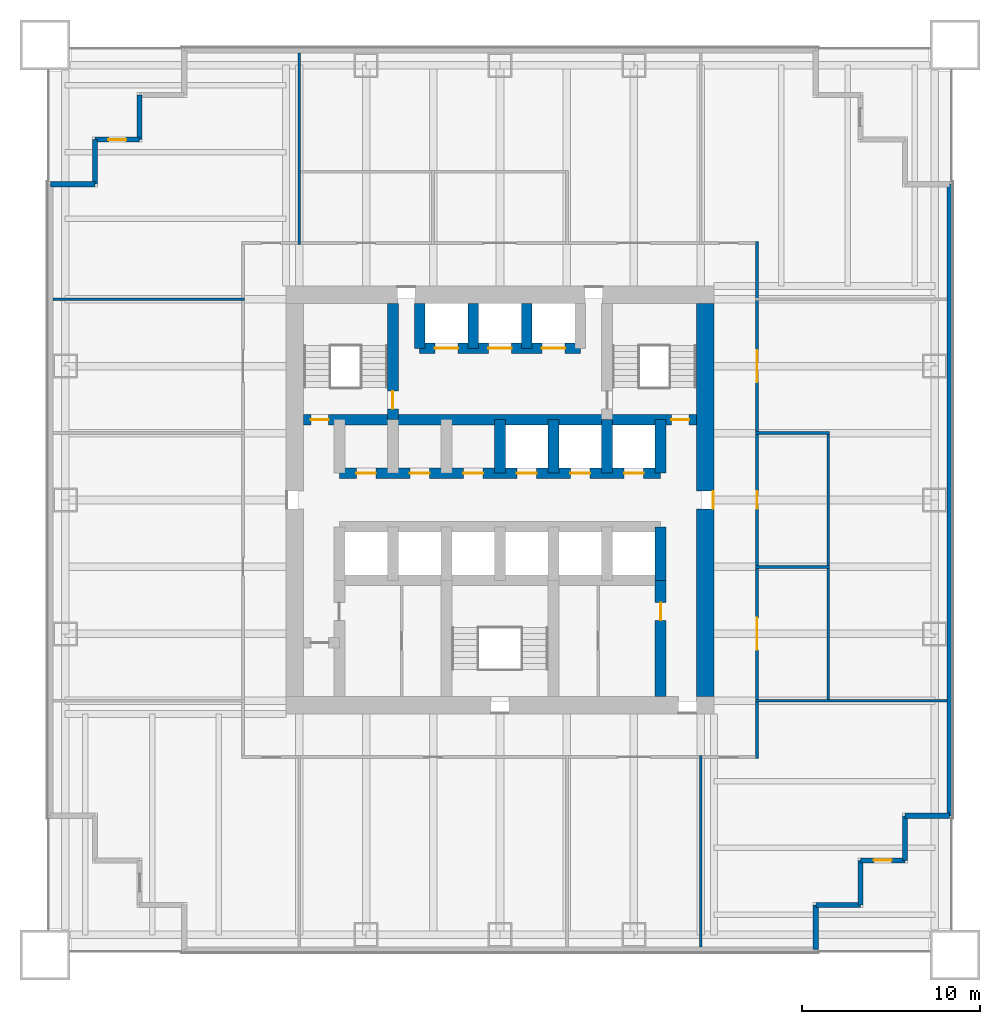
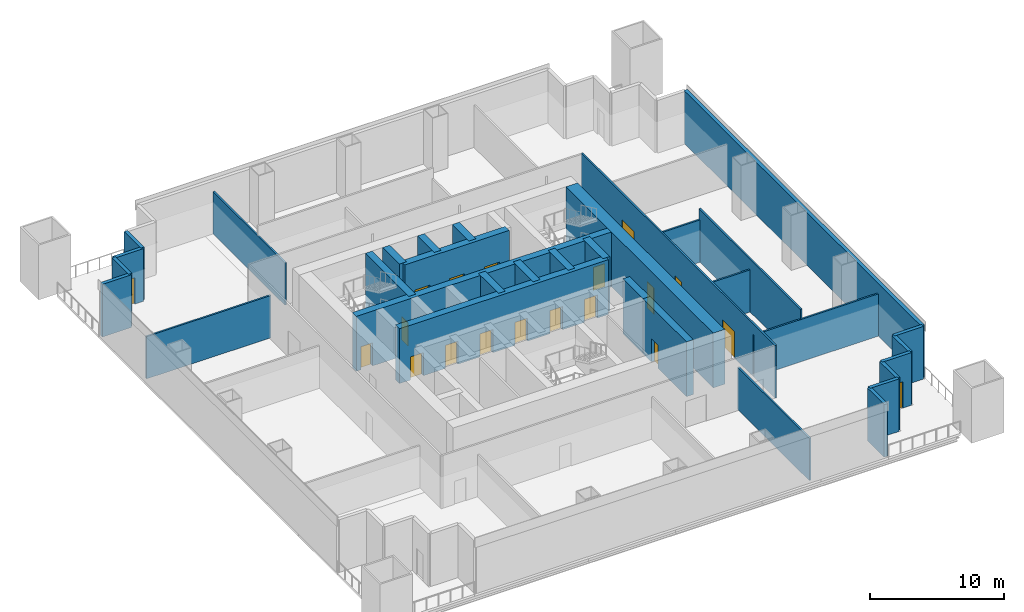
# One storey, part 3 of 6: 33 walls, 19 doors, 19 openings.
"""IFC4 building model written with IfcOpenShell, lengths in metres."""

from ifc_helpers import new_model, si_unit, direction, frame, frame_2d, origin, place, context, subcontext, project, spatial, rectangle, extrude, material, layer, layer_set, type_object, element, fill, save


model = new_model("IFC4")

# Units and contexts
model_context = context("Model", 3, precision=1e-05, world=origin(), true_north=direction((0.0, 1.0)))
body_context = subcontext(model_context, "Body", "Model", "MODEL_VIEW")
ifc_project = project(units=[si_unit("LENGTHUNIT", "METRE"), si_unit("AREAUNIT", "SQUARE_METRE"), si_unit("VOLUMEUNIT", "CUBIC_METRE"), si_unit("PLANEANGLEUNIT", "RADIAN"), si_unit("MASSUNIT", "GRAM", prefix="KILO")], contexts=[model_context])

# Site, building, storey
site_placement = place(None, origin())
site = spatial("IfcSite", under=ifc_project, at=site_placement, CompositionType="ELEMENT")
building_placement = place(site_placement, origin())
building = spatial("IfcBuilding", under=site, at=building_placement, Name="Tarangal Relay Tower", CompositionType="ELEMENT")
storey_placement = place(building_placement, frame((0.0, 0.0, 53.39990234375)))
storey = spatial("IfcBuildingStorey", under=building, at=storey_placement, Name="L10", CompositionType="ELEMENT", Elevation=53.39990234375)

# Wall, openings, doors
ifc_material_1 = material(Name="Concrete fc' 60 MPa", Category="concrete")
ifc_layer_1 = layer(ifc_material_1, 0.60009765625)
ifc_layer_set_1 = layer_set([ifc_layer_1], Name="Core inner wall 600")
wall_type_1 = type_object("IfcWallType", Name="Core inner wall 600", PredefinedType="SHEAR", material=ifc_layer_set_1)
wall_1_placement = place(storey_placement, frame((-11.0, 4.5, 0.0), z_axis=(0.0, 0.0, 1.0), x_axis=(1.0, 0.0, 0.0)))
wall_1 = element("IfcWall", 1, at=wall_1_placement, inside=storey, type_object=wall_type_1, Name="Core wall Y45 L10", PredefinedType="SHEAR", context=body_context, shape_type="SweptSolid", body=[
    extrude(rectangle(XDim=22.0, YDim=0.60009765625, at=frame_2d((11.0, 0.0))), origin(), (0.0, 0.0, 1.0), 5.0),
])
opening_1_placement = place(wall_1_placement, frame((0.39990234375, 0.0, 0.0)))
opening_1 = element("IfcOpeningElement", 2, at=opening_1_placement, cuts=wall_1, Name="Opening FD1", PredefinedType="OPENING", context=body_context, shape_type="SweptSolid", body=[
    extrude(rectangle(XDim=1.0, YDim=2.10009765625, at=frame_2d((0.5, 1.050048828125))), frame((0.0, 0.31005859375, 0.0), z_axis=(0.0, -1.0, 0.0), x_axis=(1.0, 0.0, 0.0)), (0.0, 0.0, 1.0), 0.6201171875),
])
opening_2_placement = place(wall_1_placement, frame((20.60009765625, 0.0, 0.0)))
opening_2 = element("IfcOpeningElement", 3, at=opening_2_placement, cuts=wall_1, Name="Opening FD1", PredefinedType="OPENING", context=body_context, shape_type="SweptSolid", body=[
    extrude(rectangle(XDim=1.0, YDim=2.10009765625, at=frame_2d((0.5, 1.050048828125))), frame((0.0, 0.31005859375, 0.0), z_axis=(0.0, -1.0, 0.0), x_axis=(1.0, 0.0, 0.0)), (0.0, 0.0, 1.0), 0.6201171875),
])
ifc_material_2 = material(Name="Steel door with hardwood frame", Category="steel")
door_type_1 = type_object("IfcDoorType", Name="Fire door 1000 x 2100", OperationType="SINGLE_SWING_LEFT", PredefinedType="DOOR", material=ifc_material_2)
door_1_placement = place(opening_1_placement, origin())
door_1 = element("IfcDoor", 4, at=door_1_placement, inside=storey, type_object=door_type_1, Name="Stair ST-A door from corridor L10", OperationType="SINGLE_SWING_LEFT", OverallHeight=2.10009765625, OverallWidth=1.0, PredefinedType="DOOR", context=body_context, shape_type="SweptSolid", body=[
    extrude(rectangle(XDim=1.0, YDim=2.10009765625, at=frame_2d((0.5, 1.050048828125))), frame((0.0, 0.02490234375, 0.0), z_axis=(0.0, -1.0, 0.0), x_axis=(1.0, 0.0, 0.0)), (0.0, 0.0, 1.0), 0.050048828125),
])
fill(opening_1, door_1)
door_2_placement = place(opening_2_placement, origin())
door_2 = element("IfcDoor", 5, at=door_2_placement, inside=storey, type_object=door_type_1, Name="Stair ST-B door from corridor L10", OperationType="SINGLE_SWING_LEFT", OverallHeight=2.10009765625, OverallWidth=1.0, PredefinedType="DOOR", context=body_context, shape_type="SweptSolid", body=[
    extrude(rectangle(XDim=1.0, YDim=2.10009765625, at=frame_2d((0.5, 1.050048828125))), frame((0.0, 0.02490234375, 0.0), z_axis=(0.0, -1.0, 0.0), x_axis=(1.0, 0.0, 0.0)), (0.0, 0.0, 1.0), 0.050048828125),
])
fill(opening_2, door_2)

wall_2_placement = place(storey_placement, frame((-9.0, 1.5, 0.0), z_axis=(0.0, 0.0, 1.0), x_axis=(1.0, 0.0, 0.0)))
wall_2 = element("IfcWall", 6, at=wall_2_placement, inside=storey, type_object=wall_type_1, Name="Core wall Y15 L10", PredefinedType="SHEAR", context=body_context, shape_type="SweptSolid", body=[
    extrude(rectangle(XDim=18.0, YDim=0.60009765625, at=frame_2d((9.0, 0.0))), origin(), (0.0, 0.0, 1.0), 5.0),
])
opening_3_placement = place(wall_2_placement, frame((9.949951171875, 0.0, 0.0)))
opening_3 = element("IfcOpeningElement", 7, at=opening_3_placement, cuts=wall_2, Name="Opening LD1", PredefinedType="OPENING", context=body_context, shape_type="SweptSolid", body=[
    extrude(rectangle(XDim=1.10009765625, YDim=2.10009765625, at=frame_2d((0.550048828125, 1.050048828125))), frame((0.0, 0.31005859375, 0.0), z_axis=(0.0, -1.0, 0.0), x_axis=(1.0, 0.0, 0.0)), (0.0, 0.0, 1.0), 0.6201171875),
])
opening_4_placement = place(wall_2_placement, frame((12.949951171875, 0.0, 0.0)))
opening_4 = element("IfcOpeningElement", 8, at=opening_4_placement, cuts=wall_2, Name="Opening LD1", PredefinedType="OPENING", context=body_context, shape_type="SweptSolid", body=[
    extrude(rectangle(XDim=1.10009765625, YDim=2.10009765625, at=frame_2d((0.550048828125, 1.050048828125))), frame((0.0, 0.31005859375, 0.0), z_axis=(0.0, -1.0, 0.0), x_axis=(1.0, 0.0, 0.0)), (0.0, 0.0, 1.0), 0.6201171875),
])
opening_5_placement = place(wall_2_placement, frame((15.949951171875, 0.0, 0.0)))
opening_5 = element("IfcOpeningElement", 9, at=opening_5_placement, cuts=wall_2, Name="Opening LD1", PredefinedType="OPENING", context=body_context, shape_type="SweptSolid", body=[
    extrude(rectangle(XDim=1.10009765625, YDim=2.10009765625, at=frame_2d((0.550048828125, 1.050048828125))), frame((0.0, 0.31005859375, 0.0), z_axis=(0.0, -1.0, 0.0), x_axis=(1.0, 0.0, 0.0)), (0.0, 0.0, 1.0), 0.6201171875),
])
opening_6_placement = place(wall_2_placement, frame((0.949951171875, 0.0, 0.0)))
opening_6 = element("IfcOpeningElement", 10, at=opening_6_placement, cuts=wall_2, Name="Opening D4", PredefinedType="OPENING", context=body_context, shape_type="SweptSolid", body=[
    extrude(rectangle(XDim=1.10009765625, YDim=2.10009765625, at=frame_2d((0.550048828125, 1.050048828125))), frame((0.0, 0.31005859375, 0.0), z_axis=(0.0, -1.0, 0.0), x_axis=(1.0, 0.0, 0.0)), (0.0, 0.0, 1.0), 0.6201171875),
])
opening_7_placement = place(wall_2_placement, frame((3.949951171875, 0.0, 0.0)))
opening_7 = element("IfcOpeningElement", 11, at=opening_7_placement, cuts=wall_2, Name="Opening D4", PredefinedType="OPENING", context=body_context, shape_type="SweptSolid", body=[
    extrude(rectangle(XDim=1.10009765625, YDim=2.10009765625, at=frame_2d((0.550048828125, 1.050048828125))), frame((0.0, 0.31005859375, 0.0), z_axis=(0.0, -1.0, 0.0), x_axis=(1.0, 0.0, 0.0)), (0.0, 0.0, 1.0), 0.6201171875),
])
opening_8_placement = place(wall_2_placement, frame((6.949951171875, 0.0, 0.0)))
opening_8 = element("IfcOpeningElement", 12, at=opening_8_placement, cuts=wall_2, Name="Opening D4", PredefinedType="OPENING", context=body_context, shape_type="SweptSolid", body=[
    extrude(rectangle(XDim=1.10009765625, YDim=2.10009765625, at=frame_2d((0.550048828125, 1.050048828125))), frame((0.0, 0.31005859375, 0.0), z_axis=(0.0, -1.0, 0.0), x_axis=(1.0, 0.0, 0.0)), (0.0, 0.0, 1.0), 0.6201171875),
])
door_type_2 = type_object("IfcDoorType", Name="Core room door 1100 x 2100", OperationType="SINGLE_SWING_RIGHT", PredefinedType="DOOR", material=ifc_material_2)
door_3_placement = place(opening_6_placement, origin())
door_3 = element("IfcDoor", 13, at=door_3_placement, inside=storey, type_object=door_type_2, Name="Door D4 to it room L10-D1", OperationType="SINGLE_SWING_RIGHT", OverallHeight=2.10009765625, OverallWidth=1.10009765625, PredefinedType="DOOR", context=body_context, shape_type="SweptSolid", body=[
    extrude(rectangle(XDim=1.10009765625, YDim=2.10009765625, at=frame_2d((0.550048828125, 1.050048828125))), frame((0.0, 0.02490234375, 0.0), z_axis=(0.0, -1.0, 0.0), x_axis=(1.0, 0.0, 0.0)), (0.0, 0.0, 1.0), 0.050048828125),
])
fill(opening_6, door_3)
door_4_placement = place(opening_7_placement, origin())
door_4 = element("IfcDoor", 14, at=door_4_placement, inside=storey, type_object=door_type_2, Name="Door D4 to back-of-house plant room L10-D2", OperationType="SINGLE_SWING_RIGHT", OverallHeight=2.10009765625, OverallWidth=1.10009765625, PredefinedType="DOOR", context=body_context, shape_type="SweptSolid", body=[
    extrude(rectangle(XDim=1.10009765625, YDim=2.10009765625, at=frame_2d((0.550048828125, 1.050048828125))), frame((0.0, 0.02490234375, 0.0), z_axis=(0.0, -1.0, 0.0), x_axis=(1.0, 0.0, 0.0)), (0.0, 0.0, 1.0), 0.050048828125),
])
fill(opening_7, door_4)
door_5_placement = place(opening_8_placement, origin())
door_5 = element("IfcDoor", 15, at=door_5_placement, inside=storey, type_object=door_type_2, Name="Door D4 to staff pantry L10-D3", OperationType="SINGLE_SWING_RIGHT", OverallHeight=2.10009765625, OverallWidth=1.10009765625, PredefinedType="DOOR", context=body_context, shape_type="SweptSolid", body=[
    extrude(rectangle(XDim=1.10009765625, YDim=2.10009765625, at=frame_2d((0.550048828125, 1.050048828125))), frame((0.0, 0.02490234375, 0.0), z_axis=(0.0, -1.0, 0.0), x_axis=(1.0, 0.0, 0.0)), (0.0, 0.0, 1.0), 0.050048828125),
])
fill(opening_8, door_5)
door_type_3 = type_object("IfcDoorType", Name="Lift landing door 1100 x 2100", OperationType="SLIDING_TO_LEFT", PredefinedType="DOOR", material=ifc_material_2)
door_6_placement = place(opening_3_placement, origin())
door_6 = element("IfcDoor", 16, at=door_6_placement, inside=storey, type_object=door_type_3, Name="Lift T1 landing door L10", OperationType="SLIDING_TO_LEFT", OverallHeight=2.10009765625, OverallWidth=1.10009765625, PredefinedType="DOOR", context=body_context, shape_type="SweptSolid", body=[
    extrude(rectangle(XDim=1.10009765625, YDim=2.10009765625, at=frame_2d((0.550048828125, 1.050048828125))), frame((0.0, 0.02490234375, 0.0), z_axis=(0.0, -1.0, 0.0), x_axis=(1.0, 0.0, 0.0)), (0.0, 0.0, 1.0), 0.050048828125),
])
fill(opening_3, door_6)
door_7_placement = place(opening_4_placement, origin())
door_7 = element("IfcDoor", 17, at=door_7_placement, inside=storey, type_object=door_type_3, Name="Lift T2 landing door L10", OperationType="SLIDING_TO_LEFT", OverallHeight=2.10009765625, OverallWidth=1.10009765625, PredefinedType="DOOR", context=body_context, shape_type="SweptSolid", body=[
    extrude(rectangle(XDim=1.10009765625, YDim=2.10009765625, at=frame_2d((0.550048828125, 1.050048828125))), frame((0.0, 0.02490234375, 0.0), z_axis=(0.0, -1.0, 0.0), x_axis=(1.0, 0.0, 0.0)), (0.0, 0.0, 1.0), 0.050048828125),
])
fill(opening_4, door_7)
door_8_placement = place(opening_5_placement, origin())
door_8 = element("IfcDoor", 18, at=door_8_placement, inside=storey, type_object=door_type_3, Name="Lift T3 landing door L10", OperationType="SLIDING_TO_LEFT", OverallHeight=2.10009765625, OverallWidth=1.10009765625, PredefinedType="DOOR", context=body_context, shape_type="SweptSolid", body=[
    extrude(rectangle(XDim=1.10009765625, YDim=2.10009765625, at=frame_2d((0.550048828125, 1.050048828125))), frame((0.0, 0.02490234375, 0.0), z_axis=(0.0, -1.0, 0.0), x_axis=(1.0, 0.0, 0.0)), (0.0, 0.0, 1.0), 0.050048828125),
])
fill(opening_5, door_8)

wall_3_placement = place(storey_placement, frame((-4.5, 8.5, 0.0), z_axis=(0.0, 0.0, 1.0), x_axis=(1.0, 0.0, 0.0)))
wall_3 = element("IfcWall", 19, at=wall_3_placement, inside=storey, type_object=wall_type_1, Name="Core wall Y85 L10", PredefinedType="SHEAR", context=body_context, shape_type="SweptSolid", body=[
    extrude(rectangle(XDim=9.0, YDim=0.60009765625, at=frame_2d((4.5, 0.0))), origin(), (0.0, 0.0, 1.0), 5.0),
])
opening_9_placement = place(wall_3_placement, frame((0.85009765625, 0.0, 0.0)))
opening_9 = element("IfcOpeningElement", 20, at=opening_9_placement, cuts=wall_3, Name="Opening LD2", PredefinedType="OPENING", context=body_context, shape_type="SweptSolid", body=[
    extrude(rectangle(XDim=1.300048828125, YDim=2.39990234375, at=frame_2d((0.64990234375, 1.199951171875))), frame((0.0, 0.31005859375, 0.0), z_axis=(0.0, -1.0, 0.0), x_axis=(1.0, 0.0, 0.0)), (0.0, 0.0, 1.0), 0.6201171875),
])
opening_10_placement = place(wall_3_placement, frame((6.85009765625, 0.0, 0.0)))
opening_10 = element("IfcOpeningElement", 21, at=opening_10_placement, cuts=wall_3, Name="Opening LD2", PredefinedType="OPENING", context=body_context, shape_type="SweptSolid", body=[
    extrude(rectangle(XDim=1.300048828125, YDim=2.39990234375, at=frame_2d((0.64990234375, 1.199951171875))), frame((0.0, 0.31005859375, 0.0), z_axis=(0.0, -1.0, 0.0), x_axis=(1.0, 0.0, 0.0)), (0.0, 0.0, 1.0), 0.6201171875),
])
opening_11_placement = place(wall_3_placement, frame((3.85009765625, 0.0, 0.0)))
opening_11 = element("IfcOpeningElement", 22, at=opening_11_placement, cuts=wall_3, Name="Opening LD2", PredefinedType="OPENING", context=body_context, shape_type="SweptSolid", body=[
    extrude(rectangle(XDim=1.300048828125, YDim=2.39990234375, at=frame_2d((0.64990234375, 1.199951171875))), frame((0.0, 0.31005859375, 0.0), z_axis=(0.0, -1.0, 0.0), x_axis=(1.0, 0.0, 0.0)), (0.0, 0.0, 1.0), 0.6201171875),
])
door_type_4 = type_object("IfcDoorType", Name="Lift landing door 1300 x 2400", OperationType="SLIDING_TO_LEFT", PredefinedType="DOOR", material=ifc_material_2)
door_9_placement = place(opening_9_placement, origin())
door_9 = element("IfcDoor", 23, at=door_9_placement, inside=storey, type_object=door_type_4, Name="Lift FF1 landing door L10", OperationType="SLIDING_TO_LEFT", OverallHeight=2.39990234375, OverallWidth=1.300048828125, PredefinedType="DOOR", context=body_context, shape_type="SweptSolid", body=[
    extrude(rectangle(XDim=1.300048828125, YDim=2.39990234375, at=frame_2d((0.64990234375, 1.199951171875))), frame((0.0, 0.02490234375, 0.0), z_axis=(0.0, -1.0, 0.0), x_axis=(1.0, 0.0, 0.0)), (0.0, 0.0, 1.0), 0.050048828125),
])
fill(opening_9, door_9)
door_10_placement = place(opening_10_placement, origin())
door_10 = element("IfcDoor", 24, at=door_10_placement, inside=storey, type_object=door_type_4, Name="Lift FF2 landing door L10", OperationType="SLIDING_TO_LEFT", OverallHeight=2.39990234375, OverallWidth=1.300048828125, PredefinedType="DOOR", context=body_context, shape_type="SweptSolid", body=[
    extrude(rectangle(XDim=1.300048828125, YDim=2.39990234375, at=frame_2d((0.64990234375, 1.199951171875))), frame((0.0, 0.02490234375, 0.0), z_axis=(0.0, -1.0, 0.0), x_axis=(1.0, 0.0, 0.0)), (0.0, 0.0, 1.0), 0.050048828125),
])
fill(opening_10, door_10)
door_11_placement = place(opening_11_placement, origin())
door_11 = element("IfcDoor", 25, at=door_11_placement, inside=storey, type_object=door_type_4, Name="Lift SV1 landing door L10", OperationType="SLIDING_TO_LEFT", OverallHeight=2.39990234375, OverallWidth=1.300048828125, PredefinedType="DOOR", context=body_context, shape_type="SweptSolid", body=[
    extrude(rectangle(XDim=1.300048828125, YDim=2.39990234375, at=frame_2d((0.64990234375, 1.199951171875))), frame((0.0, 0.02490234375, 0.0), z_axis=(0.0, -1.0, 0.0), x_axis=(1.0, 0.0, 0.0)), (0.0, 0.0, 1.0), 0.050048828125),
])
fill(opening_11, door_11)

# Walls
for number, where, z_axis, x_axis, name in (
    (26, (9.0, 1.5, 0.0), (0.0, 0.0, 1.0), (0.0, 1.0, 0.0), "Core wall X9N L10"),
    (27, (9.0, -4.5, 0.0), (0.0, 0.0, 1.0), (0.0, 1.0, 0.0), "Core wall X9S L10"),
    (28, (0.0, 1.5, 0.0), (0.0, 0.0, 1.0), (0.0, 1.0, 0.0), "Core wall X0N L10"),
    (29, (3.0, 1.5, 0.0), (0.0, 0.0, 1.0), (0.0, 1.0, 0.0), "Core wall X3N L10"),
    (30, (6.0, 1.5, 0.0), (0.0, 0.0, 1.0), (0.0, 1.0, 0.0), "Core wall X6N L10"),
):
    element("IfcWall", number, at=place(storey_placement, frame(where, z_axis=z_axis, x_axis=x_axis)), inside=storey, type_object=wall_type_1, Name=name, PredefinedType="SHEAR", context=body_context, shape_type="SweptSolid", body=[
        extrude(rectangle(XDim=3.0, YDim=0.60009765625, at=frame_2d((1.5, 0.0))), origin(), (0.0, 0.0, 1.0), 5.0),
    ])

# Wall, opening, door
wall_4_placement = place(storey_placement, frame((-6.0, 4.5, 0.0), z_axis=(0.0, 0.0, 1.0), x_axis=(0.0, 1.0, 0.0)))
wall_4 = element("IfcWall", 31, at=wall_4_placement, inside=storey, type_object=wall_type_1, Name="Core wall XM6 L10", PredefinedType="SHEAR", context=body_context, shape_type="SweptSolid", body=[
    extrude(rectangle(XDim=6.5, YDim=0.60009765625, at=frame_2d((3.25, 0.0))), origin(), (0.0, 0.0, 1.0), 5.0),
])
opening_12_placement = place(wall_4_placement, frame((0.60009765625, 0.0, 0.0)))
opening_12 = element("IfcOpeningElement", 32, at=opening_12_placement, cuts=wall_4, Name="Opening FD1", PredefinedType="OPENING", context=body_context, shape_type="SweptSolid", body=[
    extrude(rectangle(XDim=1.0, YDim=2.10009765625, at=frame_2d((0.5, 1.050048828125))), frame((0.0, 0.31005859375, 0.0), z_axis=(0.0, -1.0, 0.0), x_axis=(1.0, 0.0, 0.0)), (0.0, 0.0, 1.0), 0.6201171875),
])
door_12_placement = place(opening_12_placement, origin())
door_12 = element("IfcDoor", 33, at=door_12_placement, inside=storey, type_object=door_type_1, Name="Stair ST-A door from fire-fighting lobby L10", OperationType="SINGLE_SWING_LEFT", OverallHeight=2.10009765625, OverallWidth=1.0, PredefinedType="DOOR", context=body_context, shape_type="SweptSolid", body=[
    extrude(rectangle(XDim=1.0, YDim=2.10009765625, at=frame_2d((0.5, 1.050048828125))), frame((0.0, 0.02490234375, 0.0), z_axis=(0.0, -1.0, 0.0), x_axis=(1.0, 0.0, 0.0)), (0.0, 0.0, 1.0), 0.050048828125),
])
fill(opening_12, door_12)

# Walls
for number, where, z_axis, x_axis, name in (
    (34, (-4.5, 8.5, 0.0), (0.0, 0.0, 1.0), (0.0, 1.0, 0.0), "Core wall XM45 L10"),
    (35, (-1.5, 8.5, 0.0), (0.0, 0.0, 1.0), (0.0, 1.0, 0.0), "Core wall XM15 L10"),
    (36, (1.5, 8.5, 0.0), (0.0, 0.0, 1.0), (0.0, 1.0, 0.0), "Core wall X15 L10"),
):
    element("IfcWall", number, at=place(storey_placement, frame(where, z_axis=z_axis, x_axis=x_axis)), inside=storey, type_object=wall_type_1, Name=name, PredefinedType="SHEAR", context=body_context, shape_type="SweptSolid", body=[
        extrude(rectangle(XDim=2.5, YDim=0.60009765625, at=frame_2d((1.25, 0.0))), origin(), (0.0, 0.0, 1.0), 5.0),
    ])

# Wall, opening, door
wall_5_placement = place(storey_placement, frame((9.0, -11.0, 0.0), z_axis=(0.0, 0.0, 1.0), x_axis=(0.0, 1.0, 0.0)))
wall_5 = element("IfcWall", 37, at=wall_5_placement, inside=storey, type_object=wall_type_1, Name="Core wall X9W L10", PredefinedType="SHEAR", context=body_context, shape_type="SweptSolid", body=[
    extrude(rectangle(XDim=6.5, YDim=0.60009765625, at=frame_2d((3.25, 0.0))), origin(), (0.0, 0.0, 1.0), 5.0),
])
opening_13_placement = place(wall_5_placement, frame((4.25, 0.0, 0.0)))
opening_13 = element("IfcOpeningElement", 38, at=opening_13_placement, cuts=wall_5, Name="Opening D1", PredefinedType="OPENING", context=body_context, shape_type="SweptSolid", body=[
    extrude(rectangle(XDim=1.0, YDim=2.10009765625, at=frame_2d((0.5, 1.050048828125))), frame((0.0, 0.31005859375, 0.0), z_axis=(0.0, -1.0, 0.0), x_axis=(1.0, 0.0, 0.0)), (0.0, 0.0, 1.0), 0.6201171875),
])
ifc_material_3 = material(Name="Hardwood door", Category="wood")
door_type_5 = type_object("IfcDoorType", Name="WC door 1000 x 2100", OperationType="SINGLE_SWING_LEFT", PredefinedType="DOOR", material=ifc_material_3)
door_13_placement = place(opening_13_placement, origin())
door_13 = element("IfcDoor", 39, at=door_13_placement, inside=storey, type_object=door_type_5, Name="Female WC door L10", OperationType="SINGLE_SWING_LEFT", OverallHeight=2.10009765625, OverallWidth=1.0, PredefinedType="DOOR", context=body_context, shape_type="SweptSolid", body=[
    extrude(rectangle(XDim=1.0, YDim=2.10009765625, at=frame_2d((0.5, 1.050048828125))), frame((0.0, 0.02490234375, 0.0), z_axis=(0.0, -1.0, 0.0), x_axis=(1.0, 0.0, 0.0)), (0.0, 0.0, 1.0), 0.050048828125),
])
fill(opening_13, door_13)

ifc_layer_2 = layer(ifc_material_1, 1.0)
ifc_layer_set_2 = layer_set([ifc_layer_2], Name="Core wall 1000")
wall_type_2 = type_object("IfcWallType", Name="Core wall 1000", PredefinedType="SHEAR", material=ifc_layer_set_2)
wall_6_placement = place(storey_placement, frame((11.5, 11.0, 0.0), z_axis=(0.0, 0.0, 1.0), x_axis=(0.0, -1.0, 0.0)))
wall_6 = element("IfcWall", 40, at=wall_6_placement, inside=storey, type_object=wall_type_2, Name="Core wall E L10", PredefinedType="SHEAR", context=body_context, shape_type="SweptSolid", body=[
    extrude(rectangle(XDim=22.0, YDim=1.0, at=frame_2d((11.0, 0.0))), origin(), (0.0, 0.0, 1.0), 5.0),
])
opening_14_placement = place(wall_6_placement, frame((10.5, 0.0, 0.0)))
opening_14 = element("IfcOpeningElement", 41, at=opening_14_placement, cuts=wall_6, Name="Opening FD3", PredefinedType="OPENING", context=body_context, shape_type="SweptSolid", body=[
    extrude(rectangle(XDim=1.0, YDim=2.39990234375, at=frame_2d((0.5, 1.199951171875))), frame((0.0, 0.510009765625, 0.0), z_axis=(0.0, -1.0, 0.0), x_axis=(1.0, 0.0, 0.0)), (0.0, 0.0, 1.0), 1.02001953125),
])
door_type_6 = type_object("IfcDoorType", Name="Fire door 1000 x 2400 core entry", OperationType="SINGLE_SWING_RIGHT", PredefinedType="DOOR", material=ifc_material_2)
door_14_placement = place(opening_14_placement, origin())
door_14 = element("IfcDoor", 42, at=door_14_placement, inside=storey, type_object=door_type_6, Name="Core entry door east L10", OperationType="SINGLE_SWING_RIGHT", OverallHeight=2.39990234375, OverallWidth=1.0, PredefinedType="DOOR", context=body_context, shape_type="SweptSolid", body=[
    extrude(rectangle(XDim=1.0, YDim=2.39990234375, at=frame_2d((0.5, 1.199951171875))), frame((0.0, 0.48486328125, 0.0), z_axis=(0.0, -1.0, 0.0), x_axis=(1.0, 0.0, 0.0)), (0.0, 0.0, 1.0), 0.050048828125),
])
fill(opening_14, door_14)

# Walls
ifc_material_4 = material(Name="Insulated precast concrete fc' 40 MPa", Category="concrete")
ifc_layer_3 = layer(ifc_material_4, 0.300048828125)
ifc_layer_set_3 = layer_set([ifc_layer_3], Name="Insulated precast concrete fc' 40 MPa")
wall_type_3 = type_object("IfcWallType", Name="Facade wall precast 300", PredefinedType="SOLIDWALL", material=ifc_layer_set_3)
wall_7_placement = place(storey_placement, frame((25.199951171875, 17.699951171875, 0.0), z_axis=(0.0, 0.0, 1.0), x_axis=(0.0, -1.0, 0.0)))
element("IfcWall", 43, at=wall_7_placement, inside=storey, type_object=wall_type_3, Name="Facade wall E facade L10", PredefinedType="SOLIDWALL", context=body_context, shape_type="SweptSolid", body=[
    extrude(rectangle(XDim=35.39990234375, YDim=0.300048828125, at=frame_2d((17.699951171875, 0.0))), origin(), (0.0, 0.0, 1.0), 4.800048828125),
])
for number, where, z_axis, x_axis, name in (
    (44, (25.199951171875, -17.699951171875, 0.0), (0.0, 0.0, 1.0), (-1.0, 0.0, 0.0), "Facade wall E facade L10"),
    (45, (22.699951171875, -17.699951171875, 0.0), (0.0, 0.0, 1.0), (0.0, -1.0, 0.0), "Facade wall E facade L10"),
):
    element("IfcWall", number, at=place(storey_placement, frame(where, z_axis=z_axis, x_axis=x_axis)), inside=storey, type_object=wall_type_3, Name=name, PredefinedType="SOLIDWALL", context=body_context, shape_type="SweptSolid", body=[
        extrude(rectangle(XDim=2.5, YDim=0.300048828125, at=frame_2d((1.25, 0.0))), origin(), (0.0, 0.0, 1.0), 4.800048828125),
    ])

# Wall, opening, door
wall_8_placement = place(storey_placement, frame((22.699951171875, -20.199951171875, 0.0), z_axis=(0.0, 0.0, 1.0), x_axis=(-1.0, 0.0, 0.0)))
wall_8 = element("IfcWall", 46, at=wall_8_placement, inside=storey, type_object=wall_type_3, Name="Facade wall E facade L10", PredefinedType="SOLIDWALL", context=body_context, shape_type="SweptSolid", body=[
    extrude(rectangle(XDim=2.5, YDim=0.300048828125, at=frame_2d((1.25, 0.0))), origin(), (0.0, 0.0, 1.0), 4.800048828125),
])
opening_15_placement = place(wall_8_placement, frame((0.75, 0.0, 0.0)))
opening_15 = element("IfcOpeningElement", 47, at=opening_15_placement, cuts=wall_8, Name="Opening TD1", PredefinedType="OPENING", context=body_context, shape_type="SweptSolid", body=[
    extrude(rectangle(XDim=1.0, YDim=2.39990234375, at=frame_2d((0.5, 1.199951171875))), frame((0.0, 0.159912109375, 0.0), z_axis=(0.0, -1.0, 0.0), x_axis=(1.0, 0.0, 0.0)), (0.0, 0.0, 1.0), 0.320068359375),
])
ifc_material_5 = material(Name="Aluminium glazed door", Category="aluminium")
door_type_7 = type_object("IfcDoorType", Name="Terrace door 1000 x 2400", OperationType="SINGLE_SWING_RIGHT", PredefinedType="DOOR", material=ifc_material_5)
door_15_placement = place(opening_15_placement, origin())
door_15 = element("IfcDoor", 48, at=door_15_placement, inside=storey, type_object=door_type_7, Name="Terrace door TD1 SE L10", OperationType="SINGLE_SWING_RIGHT", OverallHeight=2.39990234375, OverallWidth=1.0, PredefinedType="DOOR", context=body_context, shape_type="SweptSolid", body=[
    extrude(rectangle(XDim=1.0, YDim=2.39990234375, at=frame_2d((0.5, 1.199951171875))), frame((0.0, 0.02490234375, 0.0), z_axis=(0.0, -1.0, 0.0), x_axis=(1.0, 0.0, 0.0)), (0.0, 0.0, 1.0), 0.050048828125),
])
fill(opening_15, door_15)

# Walls
for number, where, z_axis, x_axis, name in (
    (49, (20.199951171875, -20.199951171875, 0.0), (0.0, 0.0, 1.0), (0.0, -1.0, 0.0), "Facade wall E facade L10"),
    (50, (20.199951171875, -22.699951171875, 0.0), (0.0, 0.0, 1.0), (-1.0, 0.0, 0.0), "Facade wall E facade L10"),
    (51, (17.699951171875, -22.699951171875, 0.0), (0.0, 0.0, 1.0), (0.0, -1.0, 0.0), "Facade wall E facade L10"),
    (52, (-25.199951171875, 17.699951171875, 0.0), (0.0, 0.0, 1.0), (1.0, 0.0, 0.0), "Facade wall W facade L10"),
    (53, (-22.699951171875, 17.699951171875, 0.0), (0.0, 0.0, 1.0), (0.0, 1.0, 0.0), "Facade wall W facade L10"),
):
    element("IfcWall", number, at=place(storey_placement, frame(where, z_axis=z_axis, x_axis=x_axis)), inside=storey, type_object=wall_type_3, Name=name, PredefinedType="SOLIDWALL", context=body_context, shape_type="SweptSolid", body=[
        extrude(rectangle(XDim=2.5, YDim=0.300048828125, at=frame_2d((1.25, 0.0))), origin(), (0.0, 0.0, 1.0), 4.800048828125),
    ])

# Wall, opening, door
wall_9_placement = place(storey_placement, frame((-22.699951171875, 20.199951171875, 0.0), z_axis=(0.0, 0.0, 1.0), x_axis=(1.0, 0.0, 0.0)))
wall_9 = element("IfcWall", 54, at=wall_9_placement, inside=storey, type_object=wall_type_3, Name="Facade wall W facade L10", PredefinedType="SOLIDWALL", context=body_context, shape_type="SweptSolid", body=[
    extrude(rectangle(XDim=2.5, YDim=0.300048828125, at=frame_2d((1.25, 0.0))), origin(), (0.0, 0.0, 1.0), 4.800048828125),
])
opening_16_placement = place(wall_9_placement, frame((0.75, 0.0, 0.0)))
opening_16 = element("IfcOpeningElement", 55, at=opening_16_placement, cuts=wall_9, Name="Opening TD1", PredefinedType="OPENING", context=body_context, shape_type="SweptSolid", body=[
    extrude(rectangle(XDim=1.0, YDim=2.39990234375, at=frame_2d((0.5, 1.199951171875))), frame((0.0, 0.159912109375, 0.0), z_axis=(0.0, -1.0, 0.0), x_axis=(1.0, 0.0, 0.0)), (0.0, 0.0, 1.0), 0.320068359375),
])
door_16_placement = place(opening_16_placement, origin())
door_16 = element("IfcDoor", 56, at=door_16_placement, inside=storey, type_object=door_type_7, Name="Terrace door TD1 NW L10", OperationType="SINGLE_SWING_RIGHT", OverallHeight=2.39990234375, OverallWidth=1.0, PredefinedType="DOOR", context=body_context, shape_type="SweptSolid", body=[
    extrude(rectangle(XDim=1.0, YDim=2.39990234375, at=frame_2d((0.5, 1.199951171875))), frame((0.0, 0.02490234375, 0.0), z_axis=(0.0, -1.0, 0.0), x_axis=(1.0, 0.0, 0.0)), (0.0, 0.0, 1.0), 0.050048828125),
])
fill(opening_16, door_16)

# Walls
wall_10_placement = place(storey_placement, frame((-20.199951171875, 20.199951171875, 0.0), z_axis=(0.0, 0.0, 1.0), x_axis=(0.0, 1.0, 0.0)))
element("IfcWall", 57, at=wall_10_placement, inside=storey, type_object=wall_type_3, Name="Facade wall W facade L10", PredefinedType="SOLIDWALL", context=body_context, shape_type="SweptSolid", body=[
    extrude(rectangle(XDim=2.5, YDim=0.300048828125, at=frame_2d((1.25, 0.0))), origin(), (0.0, 0.0, 1.0), 4.800048828125),
])
ifc_material_6 = material(Name="Gypsum board on steel studs", Category="steel")
ifc_layer_4 = layer(ifc_material_6, 0.14990234375)
ifc_layer_set_4 = layer_set([ifc_layer_4], Name="Partition 150")
wall_type_4 = type_object("IfcWallType", Name="Partition 150", PredefinedType="PARTITIONING", material=ifc_layer_set_4)
wall_11_placement = place(storey_placement, frame((14.324951171875, -11.25, 0.0), z_axis=(0.0, 0.0, 1.0), x_axis=(1.0, 0.0, 0.0)))
element("IfcWall", 58, at=wall_11_placement, inside=storey, type_object=wall_type_4, Name="Partition PT1 L10", PredefinedType="PARTITIONING", context=body_context, shape_type="SweptSolid", body=[
    extrude(rectangle(XDim=10.72509765625, YDim=0.14990234375, at=frame_2d((5.362548828125, 0.0))), origin(), (0.0, 0.0, 1.0), 3.852783203125),
])
for number, where, z_axis, x_axis, name in (
    (59, (14.324951171875, -3.75, 0.0), (0.0, 0.0, 1.0), (1.0, 0.0, 0.0), "Partition PT1 L10"),
    (60, (14.324951171875, 3.75, 0.0), (0.0, 0.0, 1.0), (1.0, 0.0, 0.0), "Partition PT1 L10"),
):
    element("IfcWall", number, at=place(storey_placement, frame(where, z_axis=z_axis, x_axis=x_axis)), inside=storey, type_object=wall_type_4, Name=name, PredefinedType="PARTITIONING", context=body_context, shape_type="SweptSolid", body=[
        extrude(rectangle(XDim=4.150146484375, YDim=0.14990234375, at=frame_2d((2.0751953125, 0.0))), origin(), (0.0, 0.0, 1.0), 3.852783203125),
    ])
for number, where, z_axis, x_axis, name in (
    (61, (-25.050048828125, 11.25, 0.0), (0.0, 0.0, 1.0), (1.0, 0.0, 0.0), "Partition PT1 L10"),
    (62, (-11.25, 14.324951171875, 0.0), (0.0, 0.0, 1.0), (0.0, 1.0, 0.0), "Partition PT1 L10"),
    (63, (11.25, -25.050048828125, 0.0), (0.0, 0.0, 1.0), (0.0, 1.0, 0.0), "Partition PT1 L10"),
):
    element("IfcWall", number, at=place(storey_placement, frame(where, z_axis=z_axis, x_axis=x_axis)), inside=storey, type_object=wall_type_4, Name=name, PredefinedType="PARTITIONING", context=body_context, shape_type="SweptSolid", body=[
        extrude(rectangle(XDim=10.72509765625, YDim=0.14990234375, at=frame_2d((5.362548828125, 0.0))), origin(), (0.0, 0.0, 1.0), 3.852783203125),
    ])

# Wall, openings, doors
wall_12_placement = place(storey_placement, frame((14.39990234375, -14.47509765625, 0.0), z_axis=(0.0, 0.0, 1.0), x_axis=(0.0, 1.0, 0.0)))
wall_12 = element("IfcWall", 64, at=wall_12_placement, inside=storey, type_object=wall_type_4, Name="Partition PT1 L10", PredefinedType="PARTITIONING", context=body_context, shape_type="SweptSolid", body=[
    extrude(rectangle(XDim=28.9501953125, YDim=0.14990234375, at=frame_2d((14.47509765625, 0.0))), origin(), (0.0, 0.0, 1.0), 4.800048828125),
])
opening_17_placement = place(wall_12_placement, frame((21.074951171875, 0.0, 0.0)))
opening_17 = element("IfcOpeningElement", 65, at=opening_17_placement, cuts=wall_12, Name="Opening DD1", PredefinedType="OPENING", context=body_context, shape_type="SweptSolid", body=[
    extrude(rectangle(XDim=1.800048828125, YDim=2.39990234375, at=frame_2d((0.89990234375, 1.199951171875))), frame((0.0, 0.0849609375, 0.0), z_axis=(0.0, -1.0, 0.0), x_axis=(1.0, 0.0, 0.0)), (0.0, 0.0, 1.0), 0.169921875),
])
opening_18_placement = place(wall_12_placement, frame((13.97509765625, 0.0, 0.0)))
opening_18 = element("IfcOpeningElement", 66, at=opening_18_placement, cuts=wall_12, Name="Opening D2", PredefinedType="OPENING", context=body_context, shape_type="SweptSolid", body=[
    extrude(rectangle(XDim=1.0, YDim=2.10009765625, at=frame_2d((0.5, 1.050048828125))), frame((0.0, 0.0849609375, 0.0), z_axis=(0.0, -1.0, 0.0), x_axis=(1.0, 0.0, 0.0)), (0.0, 0.0, 1.0), 0.169921875),
])
opening_19_placement = place(wall_12_placement, frame((6.074951171875, 0.0, 0.0)))
opening_19 = element("IfcOpeningElement", 67, at=opening_19_placement, cuts=wall_12, Name="Opening DD1", PredefinedType="OPENING", context=body_context, shape_type="SweptSolid", body=[
    extrude(rectangle(XDim=1.800048828125, YDim=2.39990234375, at=frame_2d((0.89990234375, 1.199951171875))), frame((0.0, 0.0849609375, 0.0), z_axis=(0.0, -1.0, 0.0), x_axis=(1.0, 0.0, 0.0)), (0.0, 0.0, 1.0), 0.169921875),
])
door_type_8 = type_object("IfcDoorType", Name="Door 1000 x 2100", OperationType="SINGLE_SWING_LEFT", PredefinedType="DOOR", material=ifc_material_3)
door_17_placement = place(opening_18_placement, origin())
door_17 = element("IfcDoor", 68, at=door_17_placement, inside=storey, type_object=door_type_8, Name="Door D2 to customer meeting room L10-06", OperationType="SINGLE_SWING_LEFT", OverallHeight=2.10009765625, OverallWidth=1.0, PredefinedType="DOOR", context=body_context, shape_type="SweptSolid", body=[
    extrude(rectangle(XDim=1.0, YDim=2.10009765625, at=frame_2d((0.5, 1.050048828125))), frame((0.0, 0.02490234375, 0.0), z_axis=(0.0, -1.0, 0.0), x_axis=(1.0, 0.0, 0.0)), (0.0, 0.0, 1.0), 0.050048828125),
])
fill(opening_18, door_17)
door_type_9 = type_object("IfcDoorType", Name="Equipment double door 1800 x 2400", OperationType="DOUBLE_DOOR_SINGLE_SWING", PredefinedType="DOOR", material=ifc_material_2)
door_18_placement = place(opening_17_placement, origin())
door_18 = element("IfcDoor", 69, at=door_18_placement, inside=storey, type_object=door_type_9, Name="Door DD1 to data hall L10-05", OperationType="DOUBLE_DOOR_SINGLE_SWING", OverallHeight=2.39990234375, OverallWidth=1.800048828125, PredefinedType="DOOR", context=body_context, shape_type="SweptSolid", body=[
    extrude(rectangle(XDim=1.800048828125, YDim=2.39990234375, at=frame_2d((0.89990234375, 1.199951171875))), frame((0.0, 0.02490234375, 0.0), z_axis=(0.0, -1.0, 0.0), x_axis=(1.0, 0.0, 0.0)), (0.0, 0.0, 1.0), 0.050048828125),
])
fill(opening_17, door_18)
door_19_placement = place(opening_19_placement, origin())
door_19 = element("IfcDoor", 70, at=door_19_placement, inside=storey, type_object=door_type_9, Name="Door DD1 to meet-me room L10-07", OperationType="DOUBLE_DOOR_SINGLE_SWING", OverallHeight=2.39990234375, OverallWidth=1.800048828125, PredefinedType="DOOR", context=body_context, shape_type="SweptSolid", body=[
    extrude(rectangle(XDim=1.800048828125, YDim=2.39990234375, at=frame_2d((0.89990234375, 1.199951171875))), frame((0.0, 0.02490234375, 0.0), z_axis=(0.0, -1.0, 0.0), x_axis=(1.0, 0.0, 0.0)), (0.0, 0.0, 1.0), 0.050048828125),
])
fill(opening_19, door_19)

# Wall
wall_13_placement = place(storey_placement, frame((18.39990234375, -11.324951171875, 0.0), z_axis=(0.0, 0.0, 1.0), x_axis=(0.0, 1.0, 0.0)))
element("IfcWall", 71, at=wall_13_placement, inside=storey, type_object=wall_type_4, Name="Partition PT1 L10", PredefinedType="PARTITIONING", context=body_context, shape_type="SweptSolid", body=[
    extrude(rectangle(XDim=15.14990234375, YDim=0.14990234375, at=frame_2d((7.574951171875, 0.0))), origin(), (0.0, 0.0, 1.0), 4.800048828125),
])

save(model, "model.ifc")
